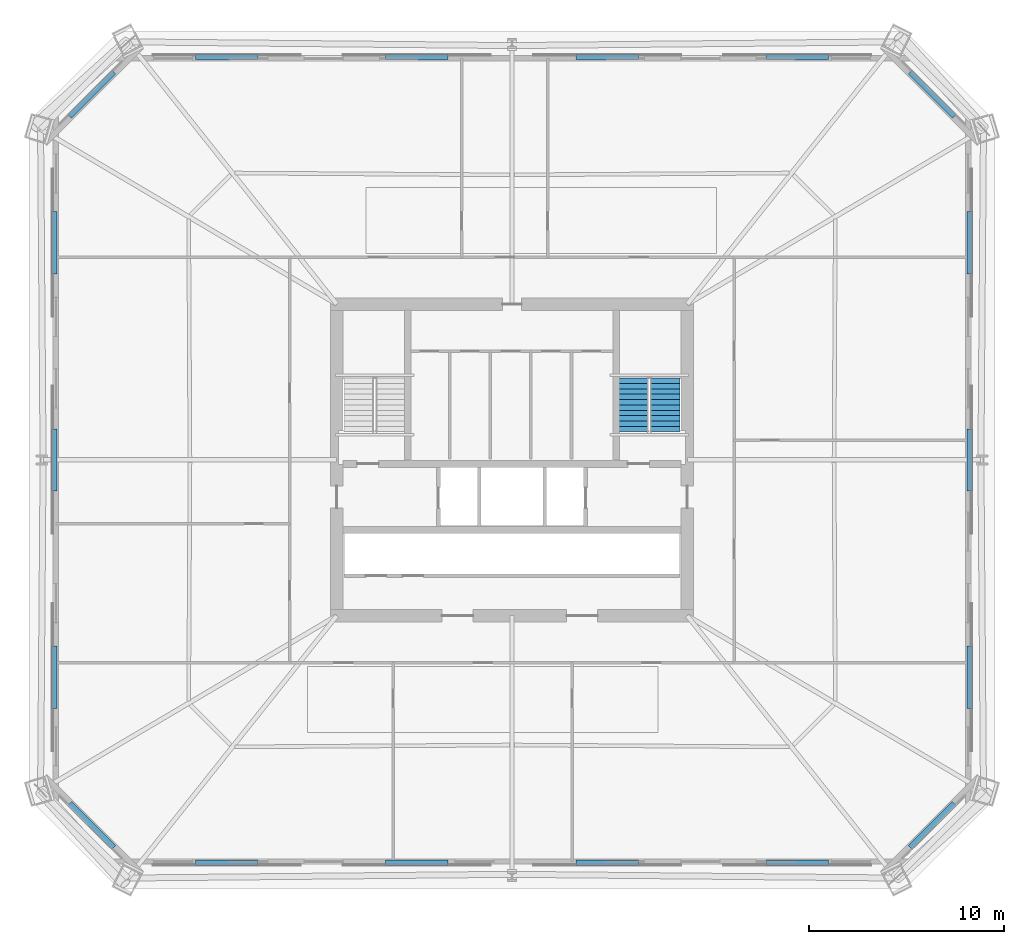
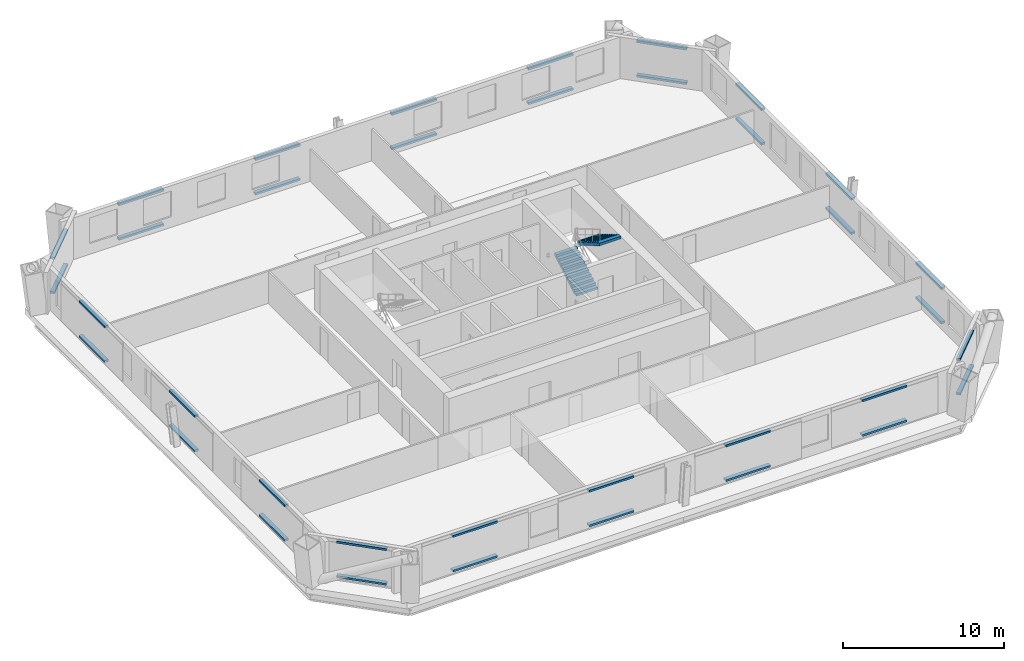
# One storey, part 5 of 7: 36 discrete accessories, 2 stair flights, 1 element without a shape of its own.
"""IFC4 building model written with IfcOpenShell, lengths in metres."""

from ifc_helpers import new_model, si_unit, direction, frame, origin, origin_2d, place, context, subcontext, project, spatial, polyline, rectangle, outline, extrude, material, type_object, element, aggregate, save


model = new_model("IFC4")

# Units and contexts
model_context = context("Model", 3, precision=1e-05, world=origin(), true_north=direction((0.0, 1.0)))
body_context = subcontext(model_context, "Body", "Model", "MODEL_VIEW")
ifc_project = project(units=[si_unit("LENGTHUNIT", "METRE"), si_unit("AREAUNIT", "SQUARE_METRE"), si_unit("VOLUMEUNIT", "CUBIC_METRE"), si_unit("PLANEANGLEUNIT", "RADIAN"), si_unit("MASSUNIT", "GRAM", prefix="KILO")], contexts=[model_context])

# Site, building, storey
site_placement = place(None, origin())
site = spatial("IfcSite", under=ifc_project, at=site_placement, CompositionType="ELEMENT")
building_placement = place(site_placement, origin())
building = spatial("IfcBuilding", under=site, at=building_placement, Name="Caelvoria Tower", CompositionType="ELEMENT")
storey_placement = place(building_placement, frame((0.0, 0.0, 35.199951171875)))
storey = spatial("IfcBuildingStorey", under=building, at=storey_placement, Name="L08", CompositionType="ELEMENT", Elevation=35.199951171875)

# Stair, stair flights
ifc_material_1 = material(Name="Concrete C40/50", Category="concrete")
stair_type = type_object("IfcStairType", Name="Core Smokeproof Dogleg Stair Concrete C40/50", PredefinedType="HALF_TURN_STAIR", material=ifc_material_1)
stair_placement = place(storey_placement, origin())
stair = element("IfcStair", 1, at=stair_placement, inside=storey, type_object=stair_type, Name="ST-02 Smokeproof Exit Stair L08", PredefinedType="HALF_TURN_STAIR")
ifc_material_2 = material(Name="Precast Concrete C40/50", Category="concrete")
stair_flight_type = type_object("IfcStairFlightType", Name="Precast Concrete C40/50 Stair Flight 1480", PredefinedType="STRAIGHT", material=ifc_material_2)
stair_flight_1_placement = place(storey_placement, frame((52.22998046875, 33.449951171875, 0.0), z_axis=(0.0, 0.0, 1.0), x_axis=(0.0, 1.0, 0.0)))
stair_flight_1 = element("IfcStairFlight", 2, at=stair_flight_1_placement, type_object=stair_flight_type, Name="ST-02 flight 1", NumberOfRisers=11, NumberOfTreads=10, PredefinedType="STRAIGHT", RiserHeight=0.1636, TreadLength=0.275, context=body_context, shape_type="SweptSolid", body=[
    extrude(outline(polyline([(0.0, 0.0), (0.0, 0.16357421875), (0.27490234375, 0.16357421875), (0.27490234375, 0.3271484375), (0.550048828125, 0.3271484375), (0.550048828125, 0.49072265625), (0.824951171875, 0.49072265625), (0.824951171875, 0.654296875), (1.10009765625, 0.654296875), (1.10009765625, 0.818115234375), (1.375, 0.818115234375), (1.375, 0.981689453125), (1.64990234375, 0.981689453125), (1.64990234375, 1.145263671875), (1.925048828125, 1.145263671875), (1.925048828125, 1.308837890625), (2.199951171875, 1.308837890625), (2.199951171875, 1.472412109375), (2.47509765625, 1.472412109375), (2.47509765625, 1.635986328125), (2.75, 1.635986328125), (2.75, 1.799560546875), (2.75, 1.449951171875), (0.312744140625, 0.0), (0.0, 0.0)])), frame((0.0, 0.77001953125, 0.0), z_axis=(0.0, -1.0, 0.0), x_axis=(1.0, 0.0, 0.0)), (0.0, 0.0, 1.0), 1.5400390625),
])
stair_flight_2_placement = place(storey_placement, frame((53.8701171875, 36.199951171875, 1.800048828125), z_axis=(0.0, 0.0, 1.0), x_axis=(0.0, -1.0, 0.0)))
stair_flight_2 = element("IfcStairFlight", 3, at=stair_flight_2_placement, type_object=stair_flight_type, Name="ST-02 flight 2", NumberOfRisers=11, NumberOfTreads=10, PredefinedType="STRAIGHT", RiserHeight=0.1636, TreadLength=0.275, context=body_context, shape_type="SweptSolid", body=[
    extrude(outline(polyline([(0.0, 0.0), (0.0, 0.16357421875), (0.27490234375, 0.16357421875), (0.27490234375, 0.3271484375), (0.550048828125, 0.3271484375), (0.550048828125, 0.49072265625), (0.824951171875, 0.49072265625), (0.824951171875, 0.654296875), (1.10009765625, 0.654296875), (1.10009765625, 0.818115234375), (1.375, 0.818115234375), (1.375, 0.981689453125), (1.64990234375, 0.981689453125), (1.64990234375, 1.145263671875), (1.925048828125, 1.145263671875), (1.925048828125, 1.308837890625), (2.199951171875, 1.308837890625), (2.199951171875, 1.472412109375), (2.47509765625, 1.472412109375), (2.47509765625, 1.635986328125), (2.75, 1.635986328125), (2.75, 1.799560546875), (2.75, 1.449951171875), (0.312744140625, 0.0), (0.0, 0.0)])), frame((0.0, 0.77001953125, 0.0), z_axis=(0.0, -1.0, 0.0), x_axis=(1.0, 0.0, 0.0)), (0.0, 0.0, 1.0), 1.5400390625),
])
aggregate(stair, [stair_flight_1, stair_flight_2])

# Discrete accessories
ifc_material_3 = material(Name="Anodised Bronze Stainless Bracket", Category="bronze")
discrete_accessory_type = type_object("IfcDiscreteAccessoryType", Name="Solar Screen Outrigger Support Bracket", PredefinedType="BRACKET", material=ifc_material_3)
for number, where, z_axis, x_axis, name in (
    (4, (31.344970703125, 11.302978515625, 0.240234375), (0.0, 0.0, 1.0), (1.0, 0.0, 0.0), "Solar Screen Bracket L08-E0-00"),
    (5, (31.344970703125, 11.302978515625, 2.85009765625), (0.0, 0.0, 1.0), (1.0, 0.0, 0.0), "Upper Screen Band Bracket L08-E0-00"),
    (6, (41.114990234375, 11.302978515625, 0.240234375), (0.0, 0.0, 1.0), (1.0, 0.0, 0.0), "Solar Screen Bracket L08-E0-01"),
    (7, (41.114990234375, 11.302978515625, 2.85009765625), (0.0, 0.0, 1.0), (1.0, 0.0, 0.0), "Upper Screen Band Bracket L08-E0-01"),
    (8, (50.885009765625, 11.302978515625, 0.240234375), (0.0, 0.0, 1.0), (1.0, 0.0, 0.0), "Solar Screen Bracket L08-E0-02"),
    (9, (50.885009765625, 11.302978515625, 2.85009765625), (0.0, 0.0, 1.0), (1.0, 0.0, 0.0), "Upper Screen Band Bracket L08-E0-02"),
    (10, (60.655029296875, 11.302978515625, 0.240234375), (0.0, 0.0, 1.0), (1.0, 0.0, 0.0), "Solar Screen Bracket L08-E0-03"),
    (11, (60.655029296875, 11.302978515625, 2.85009765625), (0.0, 0.0, 1.0), (1.0, 0.0, 0.0), "Upper Screen Band Bracket L08-E0-03"),
    (12, (67.57861328125, 13.221435546875, 0.240234375), (0.0, 0.0, 1.0), (0.707106781187, 0.707106781187, 0.0), "Solar Screen Bracket L08-E1-00"),
    (13, (67.57861328125, 13.221435546875, 2.85009765625), (0.0, 0.0, 1.0), (0.707106781187, 0.707106781187, 0.0), "Upper Screen Band Bracket L08-E1-00"),
    (14, (69.4970703125, 20.840087890625, 0.240234375), (0.0, 0.0, 1.0), (0.0, 1.0, 0.0), "Solar Screen Bracket L08-E2-00"),
    (15, (69.4970703125, 20.840087890625, 2.85009765625), (0.0, 0.0, 1.0), (0.0, 1.0, 0.0), "Upper Screen Band Bracket L08-E2-00"),
    (16, (69.4970703125, 32.0, 0.240234375), (0.0, 0.0, 1.0), (0.0, 1.0, 0.0), "Solar Screen Bracket L08-E2-01"),
    (17, (69.4970703125, 32.0, 2.85009765625), (0.0, 0.0, 1.0), (0.0, 1.0, 0.0), "Upper Screen Band Bracket L08-E2-01"),
    (18, (69.4970703125, 43.159912109375, 0.240234375), (0.0, 0.0, 1.0), (0.0, 1.0, 0.0), "Solar Screen Bracket L08-E2-02"),
    (19, (69.4970703125, 43.159912109375, 2.85009765625), (0.0, 0.0, 1.0), (0.0, 1.0, 0.0), "Upper Screen Band Bracket L08-E2-02"),
    (20, (67.57861328125, 50.778564453125, 0.240234375), (0.0, 0.0, 1.0), (-0.707106781187, 0.707106781187, 0.0), "Solar Screen Bracket L08-E3-00"),
    (21, (67.57861328125, 50.778564453125, 2.85009765625), (0.0, 0.0, 1.0), (-0.707106781187, 0.707106781187, 0.0), "Upper Screen Band Bracket L08-E3-00"),
    (22, (60.655029296875, 52.697021484375, 0.240234375), (0.0, 0.0, 1.0), (-1.0, 0.0, 0.0), "Solar Screen Bracket L08-E4-00"),
    (23, (60.655029296875, 52.697021484375, 2.85009765625), (0.0, 0.0, 1.0), (-1.0, 0.0, 0.0), "Upper Screen Band Bracket L08-E4-00"),
    (24, (50.885009765625, 52.697021484375, 0.240234375), (0.0, 0.0, 1.0), (-1.0, 0.0, 0.0), "Solar Screen Bracket L08-E4-01"),
    (25, (50.885009765625, 52.697021484375, 2.85009765625), (0.0, 0.0, 1.0), (-1.0, 0.0, 0.0), "Upper Screen Band Bracket L08-E4-01"),
    (26, (41.114990234375, 52.697021484375, 0.240234375), (0.0, 0.0, 1.0), (-1.0, 0.0, 0.0), "Solar Screen Bracket L08-E4-02"),
    (27, (41.114990234375, 52.697021484375, 2.85009765625), (0.0, 0.0, 1.0), (-1.0, 0.0, 0.0), "Upper Screen Band Bracket L08-E4-02"),
    (28, (31.344970703125, 52.697021484375, 0.240234375), (0.0, 0.0, 1.0), (-1.0, 0.0, 0.0), "Solar Screen Bracket L08-E4-03"),
    (29, (31.344970703125, 52.697021484375, 2.85009765625), (0.0, 0.0, 1.0), (-1.0, 0.0, 0.0), "Upper Screen Band Bracket L08-E4-03"),
    (30, (24.42138671875, 50.778564453125, 0.240234375), (0.0, 0.0, 1.0), (-0.707106781187, -0.707106781187, 0.0), "Solar Screen Bracket L08-E5-00"),
    (31, (24.42138671875, 50.778564453125, 2.85009765625), (0.0, 0.0, 1.0), (-0.707106781187, -0.707106781187, 0.0), "Upper Screen Band Bracket L08-E5-00"),
    (32, (22.5029296875, 43.159912109375, 0.240234375), (0.0, 0.0, 1.0), (0.0, -1.0, 0.0), "Solar Screen Bracket L08-E6-00"),
    (33, (22.5029296875, 43.159912109375, 2.85009765625), (0.0, 0.0, 1.0), (0.0, -1.0, 0.0), "Upper Screen Band Bracket L08-E6-00"),
    (34, (22.5029296875, 32.0, 0.240234375), (0.0, 0.0, 1.0), (0.0, -1.0, 0.0), "Solar Screen Bracket L08-E6-01"),
    (35, (22.5029296875, 32.0, 2.85009765625), (0.0, 0.0, 1.0), (0.0, -1.0, 0.0), "Upper Screen Band Bracket L08-E6-01"),
    (36, (22.5029296875, 20.840087890625, 0.240234375), (0.0, 0.0, 1.0), (0.0, -1.0, 0.0), "Solar Screen Bracket L08-E6-02"),
    (37, (22.5029296875, 20.840087890625, 2.85009765625), (0.0, 0.0, 1.0), (0.0, -1.0, 0.0), "Upper Screen Band Bracket L08-E6-02"),
    (38, (24.42138671875, 13.221435546875, 0.240234375), (0.0, 0.0, 1.0), (0.707106781187, -0.707106781187, 0.0), "Solar Screen Bracket L08-E7-00"),
    (39, (24.42138671875, 13.221435546875, 2.85009765625), (0.0, 0.0, 1.0), (0.707106781187, -0.707106781187, 0.0), "Upper Screen Band Bracket L08-E7-00"),
):
    element("IfcDiscreteAccessory", number, at=place(storey_placement, frame(where, z_axis=z_axis, x_axis=x_axis)), inside=storey, type_object=discrete_accessory_type, Name=name, PredefinedType="BRACKET", context=body_context, shape_type="SweptSolid", body=[
        extrude(rectangle(XDim=3.199951171875, YDim=0.280029296875, at=origin_2d()), origin(), (0.0, 0.0, 1.0), 0.159912109375),
    ])

save(model, "model.ifc")
